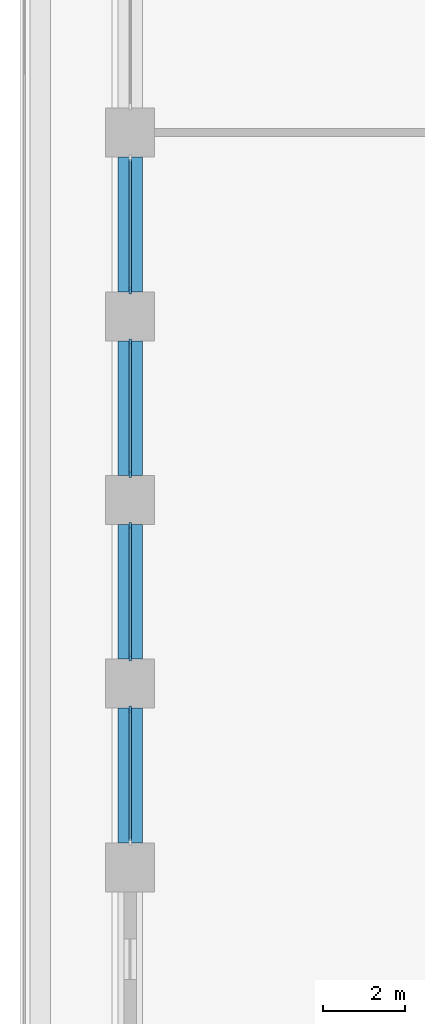
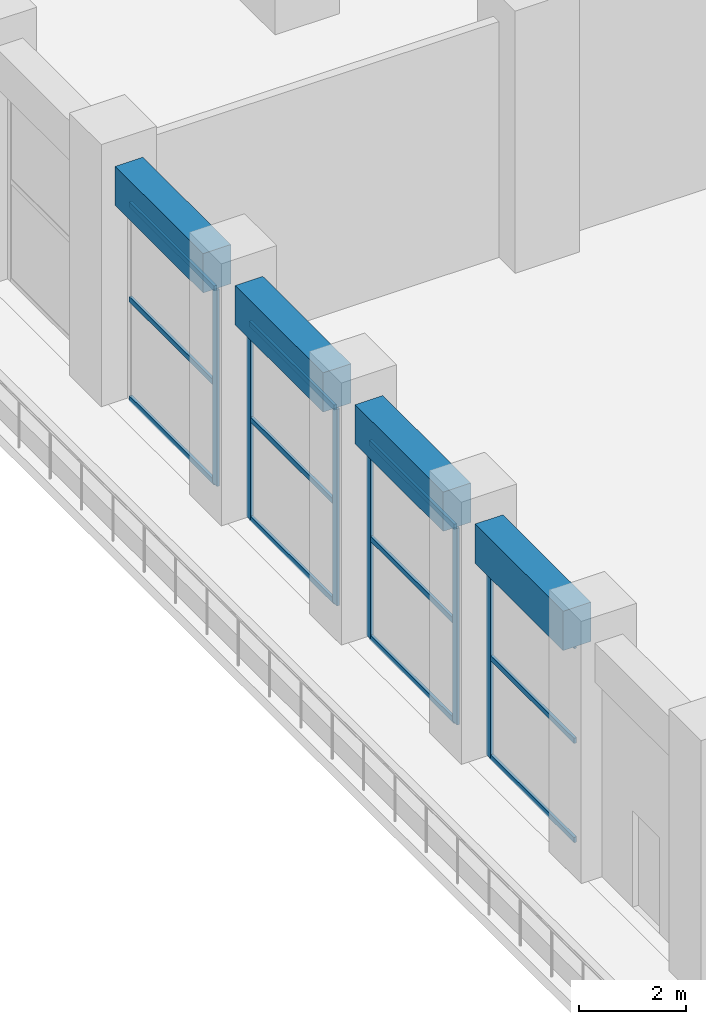
# One storey, part 3 of 24: 18 members, 4 beams, 4 elements without a shape of their own.
"""IFC4 building model written with IfcOpenShell, lengths in metres."""

import ifcopenshell
import ifcopenshell.guid

model = None  # the IFC model being written
_history = None  # IfcOwnerHistory: only IFC2X3 demands one
_inside = {}  # id of a spatial element -> (the spatial element, [elements in it])
_under = {}  # id of a project, library or spatial element -> (it, [spatial elements below it])
_declared = {}  # id of a project -> (the project, [libraries it declares])
_typed = {}  # id of a type object -> (the type object, [elements of that type])
_made_of = {}  # id of a material, layer set ... -> (it, [elements and type objects made of it])


def new_model(schema):
    """Start an empty IFC model of exactly this schema.

    Asked for "IFC4X3", IfcOpenShell would pick the latest addendum, in which some entities
    have other attributes; the version numbers below select the first issue.
    IFC2X3 requires an IfcOwnerHistory on every rooted entity: one is made here for all.
    """
    global model, _history
    if schema == "IFC4X3":
        model = ifcopenshell.file(schema_version=(4, 3, 0, 0))
    else:
        model = ifcopenshell.file(schema=schema)
    _inside.clear()
    _under.clear()
    _declared.clear()
    _typed.clear()
    _made_of.clear()
    _history = None
    if model.schema == "IFC2X3":
        org = make("IfcOrganization", Name="unknown")
        user = make(
            "IfcPersonAndOrganization",
            ThePerson=make("IfcPerson", FamilyName="unknown"),
            TheOrganization=org,
        )
        app = make(
            "IfcApplication",
            ApplicationDeveloper=org,
            Version="unknown",
            ApplicationFullName="unknown",
            ApplicationIdentifier="unknown",
        )
        _history = make(
            "IfcOwnerHistory",
            OwningUser=user,
            OwningApplication=app,
            ChangeAction="ADDED",
            CreationDate=0,
        )
    return model


def make(cls, **values):
    """One entity of the class cls with the attributes given. An attribute that is None is left unset."""
    return model.create_entity(
        cls, **{name: value for name, value in values.items() if value is not None}
    )


def rooted(cls, **values):
    """An entity with a GlobalId (a new one), such as an element, a storey or a relation."""
    return make(cls, GlobalId=ifcopenshell.guid.new(), OwnerHistory=_history, **values)


def si_unit(unit_type, name, prefix=None):
    """IfcSIUnit, for example si_unit("LENGTHUNIT", "METRE", prefix="MILLI")."""
    return make("IfcSIUnit", UnitType=unit_type, Prefix=prefix, Name=name)


def assignment(units):
    """IfcUnitAssignment: the units of a project."""
    return None if units is None else make("IfcUnitAssignment", Units=units)


def point(xyz):
    """IfcCartesianPoint."""
    return None if xyz is None else make("IfcCartesianPoint", Coordinates=xyz)


def direction(xyz):
    """IfcDirection."""
    return None if xyz is None else make("IfcDirection", DirectionRatios=xyz)


def frame(location, z_axis=None, x_axis=None):
    """IfcAxis2Placement3D, a coordinate frame: its origin and axes. An axis left out is left unset."""
    return make(
        "IfcAxis2Placement3D",
        Location=point(location),
        Axis=direction(z_axis),
        RefDirection=direction(x_axis),
    )


def frame_2d(location, x_axis=None):
    """IfcAxis2Placement2D, a coordinate frame in the plane: its origin and x axis."""
    return make(
        "IfcAxis2Placement2D", Location=point(location), RefDirection=direction(x_axis)
    )


def origin():
    """The frame at (0, 0, 0) with its axes left unset."""
    return frame((0.0, 0.0, 0.0))


def origin_2d():
    """The frame at (0, 0) in the plane with its x axis left unset."""
    return frame_2d((0.0, 0.0))


def place(relative_to, where):
    """IfcLocalPlacement: puts the frame where relative to a parent placement (None: the world)."""
    return make(
        "IfcLocalPlacement", PlacementRelTo=relative_to, RelativePlacement=where
    )


def context(
    kind, dimensions, precision=None, world=None, true_north=None, identifier=None
):
    """IfcGeometricRepresentationContext, for example the 3D "Model" context."""
    return make(
        "IfcGeometricRepresentationContext",
        ContextIdentifier=identifier,
        ContextType=kind,
        CoordinateSpaceDimension=dimensions,
        Precision=precision,
        WorldCoordinateSystem=world,
        TrueNorth=true_north,
    )


def subcontext(parent, identifier, kind, view, scale=None):
    """IfcGeometricRepresentationSubContext, for example "Body" below "Model"."""
    return make(
        "IfcGeometricRepresentationSubContext",
        ContextIdentifier=identifier,
        ContextType=kind,
        ParentContext=parent,
        TargetScale=scale,
        TargetView=view,
    )


def project(units=None, contexts=None):
    """IfcProject with its units and contexts."""
    return rooted(
        "IfcProject",
        Name="project",
        RepresentationContexts=contexts,
        UnitsInContext=assignment(units),
    )


def spatial(cls, under=None, at=None, **own):
    """A site, building, storey or space (cls), placed at a placement, below another one or the project."""
    s = rooted(cls, ObjectPlacement=at, **own)
    if under is not None:
        _under.setdefault(under.id(), (under, []))[1].append(s)
    return s


def profile(cls, at=None, kind="AREA", **sizes):
    """A parametric profile (cls). Its sizes go by their IFC names, for example OverallWidth=200.0."""
    return make(cls, ProfileType=kind, Position=at, **sizes)


def rectangle(**sizes):
    """IfcRectangleProfileDef."""
    return profile("IfcRectangleProfileDef", **sizes)


def extrude(swept, where, along, depth):
    """IfcExtrudedAreaSolid: the profile swept, set in the frame where, extruded along a direction by depth."""
    return make(
        "IfcExtrudedAreaSolid",
        SweptArea=swept,
        Position=where,
        ExtrudedDirection=direction(along),
        Depth=depth,
    )


def shape(context_of_items, identifier, shape_type, items):
    """IfcShapeRepresentation: the items that make up one representation, for example the "Body"."""
    return make(
        "IfcShapeRepresentation",
        ContextOfItems=context_of_items,
        RepresentationIdentifier=identifier,
        RepresentationType=shape_type,
        Items=items,
    )


def material(Name=None, Category=None):
    """IfcMaterial."""
    return make("IfcMaterial", Name=Name, Category=Category)


def material_profile(
    of_material, cross_section, Name=None, Category=None, Priority=None
):
    """IfcMaterialProfile: a cross section and its material."""
    return make(
        "IfcMaterialProfile",
        Name=Name,
        Material=of_material,
        Profile=cross_section,
        Priority=Priority,
        Category=Category,
    )


def profile_set(profiles, Name=None, composite=None):
    """IfcMaterialProfileSet."""
    return make(
        "IfcMaterialProfileSet",
        Name=Name,
        MaterialProfiles=profiles,
        CompositeProfile=composite,
    )


def made_of(thing, what):
    """Note that an element or type object is made of a material, layer set ...; save() writes the relation."""
    if what is not None:
        _made_of.setdefault(what.id(), (what, []))[1].append(thing)
    return thing


def type_object(cls, material=None, **own):
    """A type object (cls), such as IfcWallType, which elements share."""
    return made_of(rooted(cls, **own), material)


def element(
    cls,
    number,
    at=None,
    inside=None,
    cuts=None,
    type_object=None,
    material=None,
    context=None,
    identifier="Body",
    shape_type=None,
    held_by="IfcProductDefinitionShape",
    body=None,
    shapes=None,
    **own,
):
    """One element of the class cls, such as IfcWall. Its Tag is "e" and its number.

    at: its placement. inside: the storey or other place that contains it. cuts: it is an
    opening in that element (IfcRelVoidsElement). A single representation is given by context,
    identifier, shape_type and body (its items); several are given by shapes. held_by: the class
    of the entity that holds the representations. save() writes the other relations.
    """
    e = rooted(cls, Tag="e%d" % number, ObjectPlacement=at, **own)
    if body is not None:
        shapes = [shape(context, identifier, shape_type, body)]
    if shapes is not None:
        e.Representation = make(held_by, Representations=shapes)
    if inside is not None:
        _inside.setdefault(inside.id(), (inside, []))[1].append(e)
    if cuts is not None:
        rooted(
            "IfcRelVoidsElement", RelatingBuildingElement=cuts, RelatedOpeningElement=e
        )
    if type_object is not None:
        _typed.setdefault(type_object.id(), (type_object, []))[1].append(e)
    return made_of(e, material)


def aggregate(whole, parts):
    """IfcRelAggregates: a whole, such as a stair, and the parts it consists of."""
    return rooted("IfcRelAggregates", RelatingObject=whole, RelatedObjects=parts)


def save(model, path):
    """Write the relations noted so far, then the file.

    IfcRelAggregates (storeys below a building ...), IfcRelContainedInSpatialStructure (elements
    in a storey), IfcRelDefinesByType, IfcRelAssociatesMaterial and IfcRelDeclares: one each for
    every whole, place, type object, material and project.
    """
    for whole, parts in _under.values():
        aggregate(whole, parts)
    for where, things in _inside.values():
        rooted(
            "IfcRelContainedInSpatialStructure",
            RelatedElements=things,
            RelatingStructure=where,
        )
    for kind, things in _typed.values():
        rooted("IfcRelDefinesByType", RelatedObjects=things, RelatingType=kind)
    for what, things in _made_of.values():
        rooted("IfcRelAssociatesMaterial", RelatedObjects=things, RelatingMaterial=what)
    for by, libraries in _declared.values():
        rooted("IfcRelDeclares", RelatingContext=by, RelatedDefinitions=libraries)
    model.write(path)


model = new_model("IFC4")

# Units and contexts
model_context = context("Model", 3, precision=1e-05, world=origin(), true_north=direction((0.0, 1.0)))
body_context = subcontext(model_context, "Body", "Model", "MODEL_VIEW")
ifc_project = project(units=[si_unit("LENGTHUNIT", "METRE"), si_unit("AREAUNIT", "SQUARE_METRE"), si_unit("VOLUMEUNIT", "CUBIC_METRE"), si_unit("PLANEANGLEUNIT", "RADIAN"), si_unit("MASSUNIT", "GRAM", prefix="KILO")], contexts=[model_context])

# Site, building, storey
site_placement = place(None, origin())
site = spatial("IfcSite", under=ifc_project, at=site_placement, CompositionType="ELEMENT")
building_placement = place(site_placement, origin())
building = spatial("IfcBuilding", under=site, at=building_placement, Name="Corbel Stack Research Tower", CompositionType="ELEMENT")
storey_placement = place(building_placement, frame((0.0, 0.0, 145.39990234375)))
storey = spatial("IfcBuildingStorey", under=building, at=storey_placement, Name="L33", CompositionType="ELEMENT", Elevation=145.39990234375)

# Curtain wall, member
ifc_material_1 = material(Name="Aluminium frame, clear glass", Category="aluminium")
curtain_wall_type = type_object("IfcCurtainWallType", Name="Amenity floor curtain wall CW2", PredefinedType="NOTDEFINED", material=ifc_material_1)
curtain_wall_1_placement = place(storey_placement, origin())
curtain_wall_1 = element("IfcCurtainWall", 1, at=curtain_wall_1_placement, inside=storey, type_object=curtain_wall_type, Name="Curtain wall CW2 L33 W05", PredefinedType="NOTDEFINED")
ifc_material_2 = material(Name="Aluminium mullion", Category="aluminium")
ifc_material_profile_1 = material_profile(ifc_material_2, rectangle(XDim=0.06005859375, YDim=0.159912109375, at=origin_2d()), Name="Mullion 60 x 160")
ifc_profile_set_1 = profile_set([ifc_material_profile_1], Name="Aluminium mullion")
member_type_1 = type_object("IfcMemberType", Name="Curtain wall mullion 60 x 160", PredefinedType="MULLION", material=ifc_profile_set_1)
member_1_placement = place(storey_placement, frame((-27.0, 5.1298828125, 0.0), z_axis=(0.0, 0.0, 1.0), x_axis=(1.0, 0.0, 0.0)))
member_1 = element("IfcMember", 2, at=member_1_placement, type_object=member_type_1, Name="CW2 L33 W05 mullion 2", PredefinedType="MULLION", context=body_context, shape_type="SweptSolid", body=[
    extrude(rectangle(XDim=0.06005859375, YDim=0.159912109375, at=origin_2d()), origin(), (0.0, 0.0, 1.0), 4.5),
])

# Curtain wall, members
curtain_wall_2_placement = place(storey_placement, origin())
curtain_wall_2 = element("IfcCurtainWall", 3, at=curtain_wall_2_placement, inside=storey, type_object=curtain_wall_type, Name="Curtain wall CW2 L33 W06", PredefinedType="NOTDEFINED")
member_2_placement = place(storey_placement, frame((-27.0, 3.8701171875, 0.0), z_axis=(0.0, 0.0, 1.0), x_axis=(1.0, 0.0, 0.0)))
member_2 = element("IfcMember", 4, at=member_2_placement, type_object=member_type_1, Name="CW2 L33 W06 mullion 1", PredefinedType="MULLION", context=body_context, shape_type="SweptSolid", body=[
    extrude(rectangle(XDim=0.06005859375, YDim=0.159912109375, at=origin_2d()), origin(), (0.0, 0.0, 1.0), 4.5),
])
member_3_placement = place(storey_placement, frame((-27.0, 0.6298828125, 0.0), z_axis=(0.0, 0.0, 1.0), x_axis=(1.0, 0.0, 0.0)))
member_3 = element("IfcMember", 5, at=member_3_placement, type_object=member_type_1, Name="CW2 L33 W06 mullion 2", PredefinedType="MULLION", context=body_context, shape_type="SweptSolid", body=[
    extrude(rectangle(XDim=0.06005859375, YDim=0.159912109375, at=origin_2d()), origin(), (0.0, 0.0, 1.0), 4.5),
])

curtain_wall_3_placement = place(storey_placement, origin())
curtain_wall_3 = element("IfcCurtainWall", 6, at=curtain_wall_3_placement, inside=storey, type_object=curtain_wall_type, Name="Curtain wall CW2 L33 W07", PredefinedType="NOTDEFINED")
member_4_placement = place(storey_placement, frame((-27.0, -0.6298828125, 0.0), z_axis=(0.0, 0.0, 1.0), x_axis=(1.0, 0.0, 0.0)))
member_4 = element("IfcMember", 7, at=member_4_placement, type_object=member_type_1, Name="CW2 L33 W07 mullion 1", PredefinedType="MULLION", context=body_context, shape_type="SweptSolid", body=[
    extrude(rectangle(XDim=0.06005859375, YDim=0.159912109375, at=origin_2d()), origin(), (0.0, 0.0, 1.0), 4.5),
])
member_5_placement = place(storey_placement, frame((-27.0, -3.8701171875, 0.0), z_axis=(0.0, 0.0, 1.0), x_axis=(1.0, 0.0, 0.0)))
member_5 = element("IfcMember", 8, at=member_5_placement, type_object=member_type_1, Name="CW2 L33 W07 mullion 2", PredefinedType="MULLION", context=body_context, shape_type="SweptSolid", body=[
    extrude(rectangle(XDim=0.06005859375, YDim=0.159912109375, at=origin_2d()), origin(), (0.0, 0.0, 1.0), 4.5),
])

# Curtain wall, member
curtain_wall_4_placement = place(storey_placement, origin())
curtain_wall_4 = element("IfcCurtainWall", 9, at=curtain_wall_4_placement, inside=storey, type_object=curtain_wall_type, Name="Curtain wall CW2 L33 W08", PredefinedType="NOTDEFINED")
member_6_placement = place(storey_placement, frame((-27.0, -5.1298828125, 0.0), z_axis=(0.0, 0.0, 1.0), x_axis=(1.0, 0.0, 0.0)))
member_6 = element("IfcMember", 10, at=member_6_placement, type_object=member_type_1, Name="CW2 L33 W08 mullion 1", PredefinedType="MULLION", context=body_context, shape_type="SweptSolid", body=[
    extrude(rectangle(XDim=0.06005859375, YDim=0.159912109375, at=origin_2d()), origin(), (0.0, 0.0, 1.0), 4.5),
])

# Member
ifc_material_3 = material(Name="Aluminium transom", Category="aluminium")
ifc_material_profile_2 = material_profile(ifc_material_3, rectangle(XDim=0.06005859375, YDim=0.1201171875, at=origin_2d()), Name="Transom 60 x 120")
ifc_profile_set_2 = profile_set([ifc_material_profile_2], Name="Aluminium transom")
member_type_2 = type_object("IfcMemberType", Name="Curtain wall transom 60 x 120", PredefinedType="USERDEFINED", material=ifc_profile_set_2)
member_7_placement = place(storey_placement, frame((-27.0, 8.340087890625, 0.030029296875), z_axis=(0.0, -1.0, 0.0), x_axis=(1.0, 0.0, 0.0)))
member_7 = element("IfcMember", 11, at=member_7_placement, type_object=member_type_2, Name="CW2 L33 W05 transom 1.1", ObjectType="TRANSOM", PredefinedType="USERDEFINED", context=body_context, shape_type="SweptSolid", body=[
    extrude(rectangle(XDim=0.06005859375, YDim=0.1201171875, at=origin_2d()), origin(), (0.0, 0.0, 1.0), 3.18017578125),
])

member_8_placement = place(storey_placement, frame((-27.0, 8.340087890625, 2.300048828125), z_axis=(0.0, -1.0, 0.0), x_axis=(1.0, 0.0, 0.0)))
member_8 = element("IfcMember", 12, at=member_8_placement, type_object=member_type_2, Name="CW2 L33 W05 transom 1.2", ObjectType="TRANSOM", PredefinedType="USERDEFINED", context=body_context, shape_type="SweptSolid", body=[
    extrude(rectangle(XDim=0.06005859375, YDim=0.1201171875, at=origin_2d()), origin(), (0.0, 0.0, 1.0), 3.18017578125),
])

member_9_placement = place(storey_placement, frame((-27.0, 8.340087890625, 4.47021484375), z_axis=(0.0, -1.0, 0.0), x_axis=(1.0, 0.0, 0.0)))
member_9 = element("IfcMember", 13, at=member_9_placement, type_object=member_type_2, Name="CW2 L33 W05 transom 1.3", ObjectType="TRANSOM", PredefinedType="USERDEFINED", context=body_context, shape_type="SweptSolid", body=[
    extrude(rectangle(XDim=0.06005859375, YDim=0.1201171875, at=origin_2d()), origin(), (0.0, 0.0, 1.0), 3.18017578125),
])

aggregate(curtain_wall_1, [member_1, member_7, member_8, member_9])

member_10_placement = place(storey_placement, frame((-27.0, 3.840087890625, 0.030029296875), z_axis=(0.0, -1.0, 0.0), x_axis=(1.0, 0.0, 0.0)))
member_10 = element("IfcMember", 14, at=member_10_placement, type_object=member_type_2, Name="CW2 L33 W06 transom 1.1", ObjectType="TRANSOM", PredefinedType="USERDEFINED", context=body_context, shape_type="SweptSolid", body=[
    extrude(rectangle(XDim=0.06005859375, YDim=0.1201171875, at=origin_2d()), origin(), (0.0, 0.0, 1.0), 3.18017578125),
])

member_11_placement = place(storey_placement, frame((-27.0, 3.840087890625, 2.300048828125), z_axis=(0.0, -1.0, 0.0), x_axis=(1.0, 0.0, 0.0)))
member_11 = element("IfcMember", 15, at=member_11_placement, type_object=member_type_2, Name="CW2 L33 W06 transom 1.2", ObjectType="TRANSOM", PredefinedType="USERDEFINED", context=body_context, shape_type="SweptSolid", body=[
    extrude(rectangle(XDim=0.06005859375, YDim=0.1201171875, at=origin_2d()), origin(), (0.0, 0.0, 1.0), 3.18017578125),
])

member_12_placement = place(storey_placement, frame((-27.0, 3.840087890625, 4.47021484375), z_axis=(0.0, -1.0, 0.0), x_axis=(1.0, 0.0, 0.0)))
member_12 = element("IfcMember", 16, at=member_12_placement, type_object=member_type_2, Name="CW2 L33 W06 transom 1.3", ObjectType="TRANSOM", PredefinedType="USERDEFINED", context=body_context, shape_type="SweptSolid", body=[
    extrude(rectangle(XDim=0.06005859375, YDim=0.1201171875, at=origin_2d()), origin(), (0.0, 0.0, 1.0), 3.18017578125),
])

aggregate(curtain_wall_2, [member_2, member_3, member_10, member_11, member_12])

member_13_placement = place(storey_placement, frame((-27.0, -0.659912109375, 0.030029296875), z_axis=(0.0, -1.0, 0.0), x_axis=(1.0, 0.0, 0.0)))
member_13 = element("IfcMember", 17, at=member_13_placement, type_object=member_type_2, Name="CW2 L33 W07 transom 1.1", ObjectType="TRANSOM", PredefinedType="USERDEFINED", context=body_context, shape_type="SweptSolid", body=[
    extrude(rectangle(XDim=0.06005859375, YDim=0.1201171875, at=origin_2d()), origin(), (0.0, 0.0, 1.0), 3.18017578125),
])

member_14_placement = place(storey_placement, frame((-27.0, -0.659912109375, 2.300048828125), z_axis=(0.0, -1.0, 0.0), x_axis=(1.0, 0.0, 0.0)))
member_14 = element("IfcMember", 18, at=member_14_placement, type_object=member_type_2, Name="CW2 L33 W07 transom 1.2", ObjectType="TRANSOM", PredefinedType="USERDEFINED", context=body_context, shape_type="SweptSolid", body=[
    extrude(rectangle(XDim=0.06005859375, YDim=0.1201171875, at=origin_2d()), origin(), (0.0, 0.0, 1.0), 3.18017578125),
])

member_15_placement = place(storey_placement, frame((-27.0, -0.659912109375, 4.47021484375), z_axis=(0.0, -1.0, 0.0), x_axis=(1.0, 0.0, 0.0)))
member_15 = element("IfcMember", 19, at=member_15_placement, type_object=member_type_2, Name="CW2 L33 W07 transom 1.3", ObjectType="TRANSOM", PredefinedType="USERDEFINED", context=body_context, shape_type="SweptSolid", body=[
    extrude(rectangle(XDim=0.06005859375, YDim=0.1201171875, at=origin_2d()), origin(), (0.0, 0.0, 1.0), 3.18017578125),
])

aggregate(curtain_wall_3, [member_4, member_5, member_13, member_14, member_15])

member_16_placement = place(storey_placement, frame((-27.0, -5.159912109375, 0.030029296875), z_axis=(0.0, -1.0, 0.0), x_axis=(1.0, 0.0, 0.0)))
member_16 = element("IfcMember", 20, at=member_16_placement, type_object=member_type_2, Name="CW2 L33 W08 transom 1.1", ObjectType="TRANSOM", PredefinedType="USERDEFINED", context=body_context, shape_type="SweptSolid", body=[
    extrude(rectangle(XDim=0.06005859375, YDim=0.1201171875, at=origin_2d()), origin(), (0.0, 0.0, 1.0), 3.18017578125),
])

member_17_placement = place(storey_placement, frame((-27.0, -5.159912109375, 2.300048828125), z_axis=(0.0, -1.0, 0.0), x_axis=(1.0, 0.0, 0.0)))
member_17 = element("IfcMember", 21, at=member_17_placement, type_object=member_type_2, Name="CW2 L33 W08 transom 1.2", ObjectType="TRANSOM", PredefinedType="USERDEFINED", context=body_context, shape_type="SweptSolid", body=[
    extrude(rectangle(XDim=0.06005859375, YDim=0.1201171875, at=origin_2d()), origin(), (0.0, 0.0, 1.0), 3.18017578125),
])

member_18_placement = place(storey_placement, frame((-27.0, -5.159912109375, 4.47021484375), z_axis=(0.0, -1.0, 0.0), x_axis=(1.0, 0.0, 0.0)))
member_18 = element("IfcMember", 22, at=member_18_placement, type_object=member_type_2, Name="CW2 L33 W08 transom 1.3", ObjectType="TRANSOM", PredefinedType="USERDEFINED", context=body_context, shape_type="SweptSolid", body=[
    extrude(rectangle(XDim=0.06005859375, YDim=0.1201171875, at=origin_2d()), origin(), (0.0, 0.0, 1.0), 3.18017578125),
])

aggregate(curtain_wall_4, [member_6, member_16, member_17, member_18])

# Beams
ifc_material_4 = material(Name="Concrete C60/75", Category="concrete")
ifc_material_profile_3 = material_profile(ifc_material_4, rectangle(XDim=0.60009765625, YDim=0.89990234375, at=origin_2d()), Name="RC 600 x 900")
ifc_profile_set_3 = profile_set([ifc_material_profile_3], Name="Concrete C60/75")
beam_type = type_object("IfcBeamType", Name="SB-600-900-600", PredefinedType="SPANDREL", material=ifc_profile_set_3)
for number, where, z_axis, x_axis, name in (
    (23, (-27.0, 8.39990234375, 4.9501953125), (0.0, -1.0, 0.0), (1.0, 0.0, 0.0), "Spandrel beam L33-38"),
    (24, (-27.0, 3.89990234375, 4.9501953125), (0.0, -1.0, 0.0), (1.0, 0.0, 0.0), "Spandrel beam L33-39"),
    (25, (-27.0, -0.60009765625, 4.9501953125), (0.0, -1.0, 0.0), (1.0, 0.0, 0.0), "Spandrel beam L33-40"),
    (26, (-27.0, -5.10009765625, 4.9501953125), (0.0, -1.0, 0.0), (1.0, 0.0, 0.0), "Spandrel beam L33-41"),
):
    element("IfcBeam", number, at=place(storey_placement, frame(where, z_axis=z_axis, x_axis=x_axis)), inside=storey, type_object=beam_type, Name=name, PredefinedType="SPANDREL", context=body_context, shape_type="SweptSolid", body=[
        extrude(rectangle(XDim=0.60009765625, YDim=0.89990234375, at=origin_2d()), origin(), (0.0, 0.0, 1.0), 3.2998046875),
    ])

save(model, "model.ifc")
